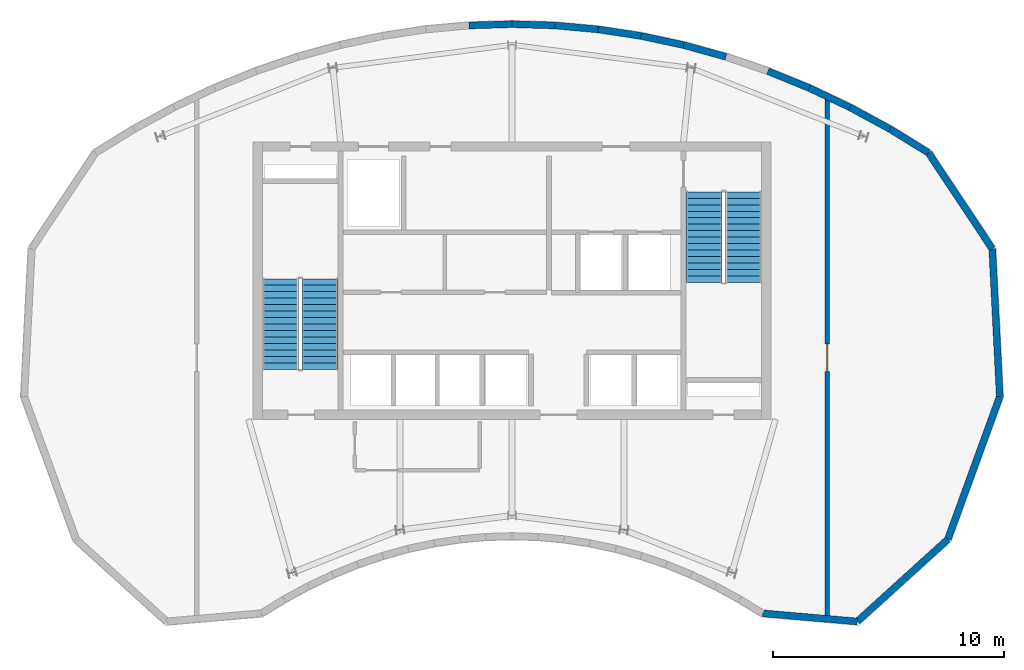
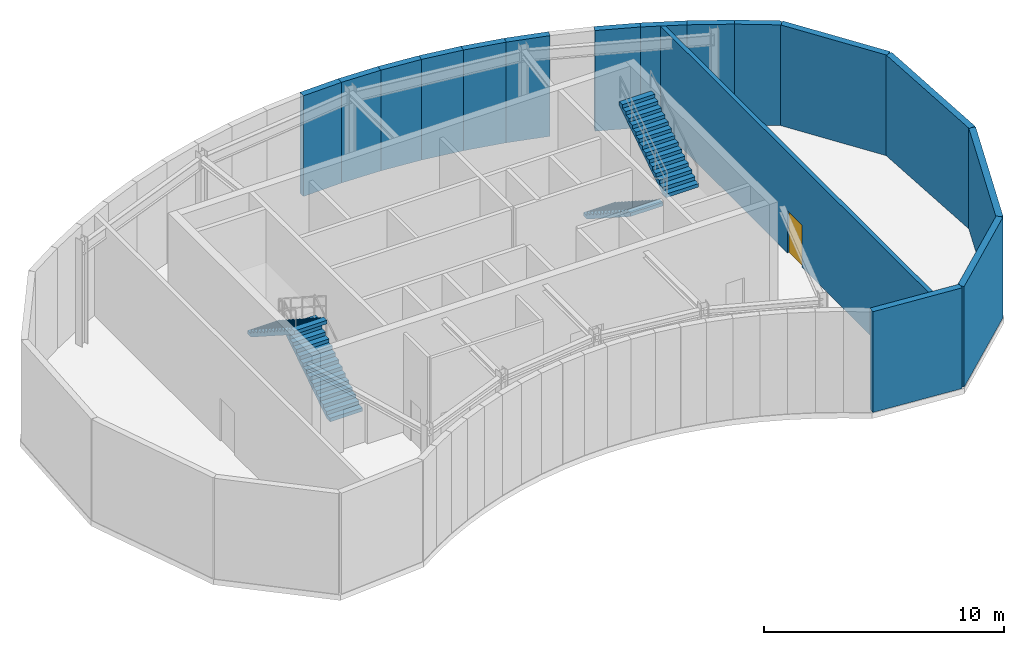
# One storey, part 4 of 5: 16 walls, 4 stair flights, 1 door, 1 opening, 2 elements without a shape of their own.
"""IFC4 building model written with IfcOpenShell, lengths in metres."""

from ifc_helpers import new_model, si_unit, direction, frame, frame_2d, origin, place, context, subcontext, project, spatial, polyline, rectangle, outline, extrude, source, transform, mapped, material, layer, layer_set, type_object, type_shapes, element, fill, aggregate, save


model = new_model("IFC4")

# Units and contexts
model_context = context("Model", 3, precision=1e-05, world=origin(), true_north=direction((0.0, 1.0)))
body_context = subcontext(model_context, "Body", "Model", "MODEL_VIEW")
ifc_project = project(units=[si_unit("LENGTHUNIT", "METRE"), si_unit("AREAUNIT", "SQUARE_METRE"), si_unit("VOLUMEUNIT", "CUBIC_METRE"), si_unit("PLANEANGLEUNIT", "RADIAN"), si_unit("MASSUNIT", "GRAM", prefix="KILO")], contexts=[model_context])

# Site, building, storey
site_placement = place(None, origin())
site = spatial("IfcSite", under=ifc_project, at=site_placement, CompositionType="ELEMENT")
building_placement = place(site_placement, origin())
building = spatial("IfcBuilding", under=site, at=building_placement, Name="Breltana Convention Tower", CompositionType="ELEMENT")
storey_placement = place(building_placement, frame((0.0, 0.0, 318.0)))
storey = spatial("IfcBuildingStorey", under=building, at=storey_placement, Name="L77", CompositionType="ELEMENT", Elevation=318.0)

# Walls
ifc_material_1 = material(Name="Limestone Buff Insulated Wall", Category="masonry")
ifc_layer_1 = layer(ifc_material_1, 0.300048828125, Name="Limestone Buff Insulated Wall")
ifc_layer_set_1 = layer_set([ifc_layer_1], Name="Limestone Buff Insulated Wall")
wall_type_1 = type_object("IfcWallType", Name="WL-EXT-CRN-300", PredefinedType="SOLIDWALL", material=ifc_layer_set_1)
shared_shape_1 = source(origin(), body_context, "Body", "SweptSolid", [
    extrude(rectangle(XDim=4.987548828125, YDim=0.300048828125, at=frame_2d((2.49365234375, 0.0))), origin(), (0.0, 0.0, 1.0), 5.1201171875),
])
wall_1_placement = place(storey_placement, frame((66.0205078125, 71.72900390625, 0.0), z_axis=(0.0, 0.0, 1.0), x_axis=(0.553468328856, -0.832870223356, 0.0)))
element("IfcWall", 1, at=wall_1_placement, inside=storey, type_object=wall_type_1, Name="L77 mechanical limestone enclosure wall 1", PredefinedType="SOLIDWALL", context=body_context, shape_type="MappedRepresentation", body=[
    mapped(shared_shape_1, transform((0.0, 0.0, 0.0), scale=1.0)),
])
shared_shape_2 = source(origin(), body_context, "Body", "SweptSolid", [
    extrude(rectangle(XDim=6.39990234375, YDim=0.300048828125, at=frame_2d((3.199951171875, 0.0))), origin(), (0.0, 0.0, 1.0), 5.1201171875),
])
wall_2_placement = place(storey_placement, frame((68.781005859375, 67.574951171875, 0.0), z_axis=(0.0, 0.0, 1.0), x_axis=(0.050888906156, -0.998704320222, 0.0)))
element("IfcWall", 2, at=wall_2_placement, inside=storey, type_object=wall_type_1, Name="L77 mechanical limestone enclosure wall 2", PredefinedType="SOLIDWALL", context=body_context, shape_type="MappedRepresentation", body=[
    mapped(shared_shape_2, transform((0.0, 0.0, 0.0), scale=1.0)),
])
shared_shape_3 = source(origin(), body_context, "Body", "SweptSolid", [
    extrude(rectangle(XDim=6.572998046875, YDim=0.300048828125, at=frame_2d((3.28662109375, 0.0))), origin(), (0.0, 0.0, 1.0), 5.1201171875),
])
wall_3_placement = place(storey_placement, frame((69.106689453125, 61.183349609375, 0.0), z_axis=(0.0, 0.0, 1.0), x_axis=(-0.342017422465, -0.939693611094, 0.0)))
element("IfcWall", 3, at=wall_3_placement, inside=storey, type_object=wall_type_1, Name="L77 mechanical limestone enclosure wall 3", PredefinedType="SOLIDWALL", context=body_context, shape_type="MappedRepresentation", body=[
    mapped(shared_shape_3, transform((0.0, 0.0, 0.0), scale=1.0)),
])
shared_shape_4 = source(origin(), body_context, "Body", "SweptSolid", [
    extrude(rectangle(XDim=5.2939453125, YDim=0.300048828125, at=frame_2d((2.64697265625, 0.0))), origin(), (0.0, 0.0, 1.0), 5.1201171875),
])
wall_4_placement = place(storey_placement, frame((66.858642578125, 55.0068359375, 0.0), z_axis=(0.0, 0.0, 1.0), x_axis=(-0.740695017527, -0.671841418052, 0.0)))
element("IfcWall", 4, at=wall_4_placement, inside=storey, type_object=wall_type_1, Name="L77 mechanical limestone enclosure wall 4", PredefinedType="SOLIDWALL", context=body_context, shape_type="MappedRepresentation", body=[
    mapped(shared_shape_4, transform((0.0, 0.0, 0.0), scale=1.0)),
])
shared_shape_5 = source(origin(), body_context, "Body", "SweptSolid", [
    extrude(rectangle(XDim=4.110595703125, YDim=0.300048828125, at=frame_2d((2.05517578125, 0.0))), origin(), (0.0, 0.0, 1.0), 5.1201171875),
])
wall_5_placement = place(storey_placement, frame((62.9375, 51.4501953125, 0.0), z_axis=(0.0, 0.0, 1.0), x_axis=(-0.996300298771, 0.085940180764, 0.0)))
element("IfcWall", 5, at=wall_5_placement, inside=storey, type_object=wall_type_1, Name="L77 mechanical limestone enclosure wall 5", PredefinedType="SOLIDWALL", context=body_context, shape_type="MappedRepresentation", body=[
    mapped(shared_shape_5, transform((0.0, 0.0, 0.0), scale=1.0)),
])
shared_shape_6 = source(origin(), body_context, "Body", "SweptSolid", [
    extrude(rectangle(XDim=1.96044921875, YDim=0.300048828125, at=frame_2d((0.980224609375, 0.0))), origin(), (0.0, 0.0, 1.0), 5.1201171875),
])
wall_6_placement = place(storey_placement, frame((64.3515625, 72.757568359375, 0.0), z_axis=(0.0, 0.0, 1.0), x_axis=(0.85131178833, -0.524660117647, 0.0)))
element("IfcWall", 6, at=wall_6_placement, inside=storey, type_object=wall_type_1, Name="L77 mechanical limestone enclosure wall 69", PredefinedType="SOLIDWALL", context=body_context, shape_type="MappedRepresentation", body=[
    mapped(shared_shape_6, transform((0.0, 0.0, 0.0), scale=1.0)),
])
shared_shape_7 = source(origin(), body_context, "Body", "SweptSolid", [
    extrude(rectangle(XDim=1.9716796875, YDim=0.300048828125, at=frame_2d((0.98583984375, 0.0))), origin(), (0.0, 0.0, 1.0), 5.1201171875),
])
wall_7_placement = place(storey_placement, frame((62.61962890625, 73.699951171875, 0.0), z_axis=(0.0, 0.0, 1.0), x_axis=(0.878387239208, -0.477949639603, 0.0)))
element("IfcWall", 7, at=wall_7_placement, inside=storey, type_object=wall_type_1, Name="L77 mechanical limestone enclosure wall 68", PredefinedType="SOLIDWALL", context=body_context, shape_type="MappedRepresentation", body=[
    mapped(shared_shape_7, transform((0.0, 0.0, 0.0), scale=1.0)),
])
shared_shape_8 = source(origin(), body_context, "Body", "SweptSolid", [
    extrude(rectangle(XDim=1.94970703125, YDim=0.300048828125, at=frame_2d((0.974853515625, 0.0))), origin(), (0.0, 0.0, 1.0), 5.1201171875),
])
wall_8_placement = place(storey_placement, frame((60.858154296875, 74.535888671875, 0.0), z_axis=(0.0, 0.0, 1.0), x_axis=(0.903429098402, -0.428737523621, 0.0)))
element("IfcWall", 8, at=wall_8_placement, inside=storey, type_object=wall_type_1, Name="L77 mechanical limestone enclosure wall 67", PredefinedType="SOLIDWALL", context=body_context, shape_type="MappedRepresentation", body=[
    mapped(shared_shape_8, transform((0.0, 0.0, 0.0), scale=1.0)),
])
shared_shape_9 = source(origin(), body_context, "Body", "SweptSolid", [
    extrude(rectangle(XDim=1.93017578125, YDim=0.300048828125, at=frame_2d((0.965087890625, 0.0))), origin(), (0.0, 0.0, 1.0), 5.1201171875),
])
wall_9_placement = place(storey_placement, frame((59.0703125, 75.263671875, 0.0), z_axis=(0.0, 0.0, 1.0), x_axis=(0.926200349129, -0.377031713882, 0.0)))
element("IfcWall", 9, at=wall_9_placement, inside=storey, type_object=wall_type_1, Name="L77 mechanical limestone enclosure wall 66", PredefinedType="SOLIDWALL", context=body_context, shape_type="MappedRepresentation", body=[
    mapped(shared_shape_9, transform((0.0, 0.0, 0.0), scale=1.0)),
])
shared_shape_10 = source(origin(), body_context, "Body", "SweptSolid", [
    extrude(rectangle(XDim=1.8984375, YDim=0.300048828125, at=frame_2d((0.94921875, 0.0))), origin(), (0.0, 0.0, 1.0), 5.1201171875),
])
wall_10_placement = place(storey_placement, frame((55.430419921875, 76.3896484375, 0.0), z_axis=(0.0, 0.0, 1.0), x_axis=(0.963597090692, -0.267358648278, 0.0)))
element("IfcWall", 10, at=wall_10_placement, inside=storey, type_object=wall_type_1, Name="L77 mechanical limestone enclosure wall 64", PredefinedType="SOLIDWALL", context=body_context, shape_type="MappedRepresentation", body=[
    mapped(shared_shape_10, transform((0.0, 0.0, 0.0), scale=1.0)),
])
shared_shape_11 = source(origin(), body_context, "Body", "SweptSolid", [
    extrude(rectangle(XDim=1.88623046875, YDim=0.300048828125, at=frame_2d((0.943115234375, 0.0))), origin(), (0.0, 0.0, 1.0), 5.1201171875),
])
wall_11_placement = place(storey_placement, frame((53.586181640625, 76.78564453125, 0.0), z_axis=(0.0, 0.0, 1.0), x_axis=(0.977715200964, -0.209935670633, 0.0)))
element("IfcWall", 11, at=wall_11_placement, inside=storey, type_object=wall_type_1, Name="L77 mechanical limestone enclosure wall 63", PredefinedType="SOLIDWALL", context=body_context, shape_type="MappedRepresentation", body=[
    mapped(shared_shape_11, transform((0.0, 0.0, 0.0), scale=1.0)),
])
shared_shape_12 = source(origin(), body_context, "Body", "SweptSolid", [
    extrude(rectangle(XDim=1.877197265625, YDim=0.300048828125, at=frame_2d((0.9384765625, 0.0))), origin(), (0.0, 0.0, 1.0), 5.1201171875),
])
wall_12_placement = place(storey_placement, frame((51.73046875, 77.06884765625, 0.0), z_axis=(0.0, 0.0, 1.0), x_axis=(0.988554409846, -0.150864769823, 0.0)))
element("IfcWall", 12, at=wall_12_placement, inside=storey, type_object=wall_type_1, Name="L77 mechanical limestone enclosure wall 62", PredefinedType="SOLIDWALL", context=body_context, shape_type="MappedRepresentation", body=[
    mapped(shared_shape_12, transform((0.0, 0.0, 0.0), scale=1.0)),
])
shared_shape_13 = source(origin(), body_context, "Body", "SweptSolid", [
    extrude(rectangle(XDim=1.87109375, YDim=0.300048828125, at=frame_2d((0.935546875, 0.0))), origin(), (0.0, 0.0, 1.0), 5.1201171875),
])
wall_13_placement = place(storey_placement, frame((49.8671875, 77.239013671875, 0.0), z_axis=(0.0, 0.0, 1.0), x_axis=(0.995855687337, -0.090947512326, 0.0)))
element("IfcWall", 13, at=wall_13_placement, inside=storey, type_object=wall_type_1, Name="L77 mechanical limestone enclosure wall 61", PredefinedType="SOLIDWALL", context=body_context, shape_type="MappedRepresentation", body=[
    mapped(shared_shape_13, transform((0.0, 0.0, 0.0), scale=1.0)),
])
shared_shape_14 = source(origin(), body_context, "Body", "SweptSolid", [
    extrude(rectangle(XDim=1.8681640625, YDim=0.300048828125, at=frame_2d((0.93408203125, 0.0))), origin(), (0.0, 0.0, 1.0), 5.1201171875),
])
for number, where, z_axis, x_axis, name in (
    (14, (46.1328125, 77.239013671875, 0.0), (0.0, 0.0, 1.0), (0.999536250024, 0.030451352805, 0.0), "L77 mechanical limestone enclosure wall 59"),
    (15, (48.0, 77.2958984375, 0.0), (0.0, 0.0, 1.0), (0.999536250024, -0.030451352805, 0.0), "L77 mechanical limestone enclosure wall 60"),
):
    element("IfcWall", number, at=place(storey_placement, frame(where, z_axis=z_axis, x_axis=x_axis)), inside=storey, type_object=wall_type_1, Name=name, PredefinedType="SOLIDWALL", context=body_context, shape_type="MappedRepresentation", body=[
        mapped(shared_shape_14, transform((0.0, 0.0, 0.0), scale=1.0)),
    ])

# Wall, opening, door
ifc_material_2 = material(Name="Autoclaved Aerated Concrete Block", Category="concrete")
ifc_layer_2 = layer(ifc_material_2, 0.199951171875, Name="Autoclaved Aerated Concrete Block")
ifc_layer_set_2 = layer_set([ifc_layer_2], Name="Autoclaved Aerated Concrete Block")
wall_type_2 = type_object("IfcWallType", Name="WL-SHAFT-200", PredefinedType="SOLIDWALL", material=ifc_layer_set_2)
shared_shape_15 = source(origin(), body_context, "Body", "SweptSolid", [
    extrude(rectangle(XDim=22.581787109375, YDim=0.199951171875, at=frame_2d((11.291015625, 0.0))), origin(), (0.0, 0.0, 1.0), 5.1201171875),
])
wall_14_placement = place(storey_placement, frame((61.639892578125, 51.572021484375, 0.0), z_axis=(0.0, 0.0, 1.0), x_axis=(0.0, 1.0, 0.0)))
wall_14 = element("IfcWall", 16, at=wall_14_placement, inside=storey, type_object=wall_type_2, Name="L77 interior partition W-L77-CPL-E", PredefinedType="SOLIDWALL", context=body_context, shape_type="MappedRepresentation", body=[
    mapped(shared_shape_15, transform((0.0, 0.0, 0.0), scale=1.0)),
])
opening_placement = place(wall_14_placement, frame((10.69091796875, 0.0, 0.0)))
opening = element("IfcOpeningElement", 17, at=opening_placement, cuts=wall_14, Name="Opening D-09", PredefinedType="OPENING", context=body_context, shape_type="SweptSolid", body=[
    extrude(rectangle(XDim=1.199951171875, YDim=2.14990234375, at=frame_2d((0.60009765625, 1.074951171875))), frame((0.0, 0.10986328125, 0.0), z_axis=(0.0, -1.0, 0.0), x_axis=(1.0, 0.0, 0.0)), (0.0, 0.0, 1.0), 0.219970703125),
])
ifc_material_3 = material(Name="Steel Fire Lobby Door", Category="steel")
door_type = type_object("IfcDoorType", Name="DR-FD120-1200", OperationType="NOTDEFINED", PredefinedType="DOOR", material=ifc_material_3)
shared_shape_16 = source(origin(), body_context, "Body", "SweptSolid", [
    extrude(rectangle(XDim=1.199951171875, YDim=2.14990234375, at=frame_2d((0.60009765625, 1.074951171875))), frame((0.0, 0.02490234375, 0.0), z_axis=(0.0, -1.0, 0.0), x_axis=(1.0, 0.0, 0.0)), (0.0, 0.0, 1.0), 0.050048828125),
])
type_shapes(door_type, [shared_shape_16])
door_placement = place(opening_placement, origin())
door = element("IfcDoor", 18, at=door_placement, inside=storey, type_object=door_type, Name="L77 interior door D-L77-CPLE", OperationType="SINGLE_SWING_RIGHT", OverallHeight=2.14990234375, OverallWidth=1.199951171875, PredefinedType="DOOR", context=body_context, shape_type="MappedRepresentation", body=[
    mapped(shared_shape_16, transform((0.0, 0.0, 0.0), scale=1.0)),
])
fill(opening, door)

# Stair, stair flights
ifc_material_4 = material(Name="Concrete C40/50", Category="concrete")
stair_type = type_object("IfcStairType", Name="ST-DOG-1560-R180", PredefinedType="HALF_TURN_STAIR", material=ifc_material_4)
stair_1_placement = place(storey_placement, origin())
stair_1 = element("IfcStair", 19, at=stair_1_placement, inside=storey, type_object=stair_type, Name="L77 Protected Core Exit Stair ST-1", PredefinedType="HALF_TURN_STAIR")
stair_flight_type = type_object("IfcStairFlightType", Name="STF-DOG-1560-N15-R180", PredefinedType="STRAIGHT", material=ifc_material_4)
stair_flight_1_placement = place(storey_placement, frame((39.68994140625, 62.360107421875, 0.0), z_axis=(0.0, 0.0, 1.0), x_axis=(0.0, 1.0, 0.0)))
stair_flight_1 = element("IfcStairFlight", 20, at=stair_flight_1_placement, type_object=stair_flight_type, Name="ST-1 flight 1", NumberOfRisers=15, NumberOfTreads=14, PredefinedType="STRAIGHT", RiserHeight=0.18, TreadLength=0.28, context=body_context, shape_type="SweptSolid", body=[
    extrude(outline(polyline([(0.0, 0.0), (0.0, 0.179931640625), (0.280029296875, 0.179931640625), (0.280029296875, 0.360107421875), (0.56005859375, 0.360107421875), (0.56005859375, 0.5400390625), (0.840087890625, 0.5400390625), (0.840087890625, 0.719970703125), (1.1201171875, 0.719970703125), (1.1201171875, 0.89990234375), (1.39990234375, 0.89990234375), (1.39990234375, 1.080078125), (1.679931640625, 1.080078125), (1.679931640625, 1.260009765625), (1.9599609375, 1.260009765625), (1.9599609375, 1.43994140625), (2.239990234375, 1.43994140625), (2.239990234375, 1.6201171875), (2.52001953125, 1.6201171875), (2.52001953125, 1.800048828125), (2.800048828125, 1.800048828125), (2.800048828125, 1.97998046875), (3.080078125, 1.97998046875), (3.080078125, 2.159912109375), (3.360107421875, 2.159912109375), (3.360107421875, 2.340087890625), (3.639892578125, 2.340087890625), (3.639892578125, 2.52001953125), (3.919921875, 2.52001953125), (3.919921875, 2.699951171875), (3.919921875, 2.341796875), (0.277099609375, 0.0), (0.0, 0.0)])), frame((0.0, 0.780029296875, 0.0), z_axis=(0.0, -1.0, 0.0), x_axis=(1.0, 0.0, 0.0)), (0.0, 0.0, 1.0), 1.56005859375),
])
stair_flight_2_placement = place(storey_placement, frame((37.97998046875, 66.280029296875, 2.699951171875), z_axis=(0.0, 0.0, 1.0), x_axis=(0.0, -1.0, 0.0)))
stair_flight_2 = element("IfcStairFlight", 21, at=stair_flight_2_placement, type_object=stair_flight_type, Name="ST-1 flight 2", NumberOfRisers=15, NumberOfTreads=14, PredefinedType="STRAIGHT", RiserHeight=0.18, TreadLength=0.28, context=body_context, shape_type="SweptSolid", body=[
    extrude(outline(polyline([(0.0, 0.0), (0.0, 0.179931640625), (0.280029296875, 0.179931640625), (0.280029296875, 0.360107421875), (0.56005859375, 0.360107421875), (0.56005859375, 0.5400390625), (0.840087890625, 0.5400390625), (0.840087890625, 0.719970703125), (1.1201171875, 0.719970703125), (1.1201171875, 0.89990234375), (1.39990234375, 0.89990234375), (1.39990234375, 1.080078125), (1.679931640625, 1.080078125), (1.679931640625, 1.260009765625), (1.9599609375, 1.260009765625), (1.9599609375, 1.43994140625), (2.239990234375, 1.43994140625), (2.239990234375, 1.6201171875), (2.52001953125, 1.6201171875), (2.52001953125, 1.800048828125), (2.800048828125, 1.800048828125), (2.800048828125, 1.97998046875), (3.080078125, 1.97998046875), (3.080078125, 2.159912109375), (3.360107421875, 2.159912109375), (3.360107421875, 2.340087890625), (3.639892578125, 2.340087890625), (3.639892578125, 2.52001953125), (3.919921875, 2.52001953125), (3.919921875, 2.699951171875), (3.919921875, 2.341796875), (0.277099609375, 0.0), (0.0, 0.0)])), frame((0.0, 0.780029296875, 0.0), z_axis=(0.0, -1.0, 0.0), x_axis=(1.0, 0.0, 0.0)), (0.0, 0.0, 1.0), 1.56005859375),
])
aggregate(stair_1, [stair_flight_1, stair_flight_2])

stair_2_placement = place(storey_placement, origin())
stair_2 = element("IfcStair", 22, at=stair_2_placement, inside=storey, type_object=stair_type, Name="L77 Protected Core Exit Stair ST-2", PredefinedType="HALF_TURN_STAIR")
stair_flight_3_placement = place(storey_placement, frame((56.31005859375, 70.0400390625, 0.0), z_axis=(0.0, 0.0, 1.0), x_axis=(0.0, -1.0, 0.0)))
stair_flight_3 = element("IfcStairFlight", 23, at=stair_flight_3_placement, type_object=stair_flight_type, Name="ST-2 flight 1", NumberOfRisers=15, NumberOfTreads=14, PredefinedType="STRAIGHT", RiserHeight=0.18, TreadLength=0.28, context=body_context, shape_type="SweptSolid", body=[
    extrude(outline(polyline([(0.0, 0.0), (0.0, 0.179931640625), (0.280029296875, 0.179931640625), (0.280029296875, 0.360107421875), (0.56005859375, 0.360107421875), (0.56005859375, 0.5400390625), (0.840087890625, 0.5400390625), (0.840087890625, 0.719970703125), (1.1201171875, 0.719970703125), (1.1201171875, 0.89990234375), (1.39990234375, 0.89990234375), (1.39990234375, 1.080078125), (1.679931640625, 1.080078125), (1.679931640625, 1.260009765625), (1.9599609375, 1.260009765625), (1.9599609375, 1.43994140625), (2.239990234375, 1.43994140625), (2.239990234375, 1.6201171875), (2.52001953125, 1.6201171875), (2.52001953125, 1.800048828125), (2.800048828125, 1.800048828125), (2.800048828125, 1.97998046875), (3.080078125, 1.97998046875), (3.080078125, 2.159912109375), (3.360107421875, 2.159912109375), (3.360107421875, 2.340087890625), (3.639892578125, 2.340087890625), (3.639892578125, 2.52001953125), (3.919921875, 2.52001953125), (3.919921875, 2.699951171875), (3.919921875, 2.341796875), (0.277099609375, 0.0), (0.0, 0.0)])), frame((0.0, 0.780029296875, 0.0), z_axis=(0.0, -1.0, 0.0), x_axis=(1.0, 0.0, 0.0)), (0.0, 0.0, 1.0), 1.56005859375),
])
stair_flight_4_placement = place(storey_placement, frame((58.02001953125, 66.1201171875, 2.699951171875), z_axis=(0.0, 0.0, 1.0), x_axis=(0.0, 1.0, 0.0)))
stair_flight_4 = element("IfcStairFlight", 24, at=stair_flight_4_placement, type_object=stair_flight_type, Name="ST-2 flight 2", NumberOfRisers=15, NumberOfTreads=14, PredefinedType="STRAIGHT", RiserHeight=0.18, TreadLength=0.28, context=body_context, shape_type="SweptSolid", body=[
    extrude(outline(polyline([(0.0, 0.0), (0.0, 0.179931640625), (0.280029296875, 0.179931640625), (0.280029296875, 0.360107421875), (0.56005859375, 0.360107421875), (0.56005859375, 0.5400390625), (0.840087890625, 0.5400390625), (0.840087890625, 0.719970703125), (1.1201171875, 0.719970703125), (1.1201171875, 0.89990234375), (1.39990234375, 0.89990234375), (1.39990234375, 1.080078125), (1.679931640625, 1.080078125), (1.679931640625, 1.260009765625), (1.9599609375, 1.260009765625), (1.9599609375, 1.43994140625), (2.239990234375, 1.43994140625), (2.239990234375, 1.6201171875), (2.52001953125, 1.6201171875), (2.52001953125, 1.800048828125), (2.800048828125, 1.800048828125), (2.800048828125, 1.97998046875), (3.080078125, 1.97998046875), (3.080078125, 2.159912109375), (3.360107421875, 2.159912109375), (3.360107421875, 2.340087890625), (3.639892578125, 2.340087890625), (3.639892578125, 2.52001953125), (3.919921875, 2.52001953125), (3.919921875, 2.699951171875), (3.919921875, 2.341796875), (0.277099609375, 0.0), (0.0, 0.0)])), frame((0.0, 0.780029296875, 0.0), z_axis=(0.0, -1.0, 0.0), x_axis=(1.0, 0.0, 0.0)), (0.0, 0.0, 1.0), 1.56005859375),
])
aggregate(stair_2, [stair_flight_3, stair_flight_4])

save(model, "model.ifc")
